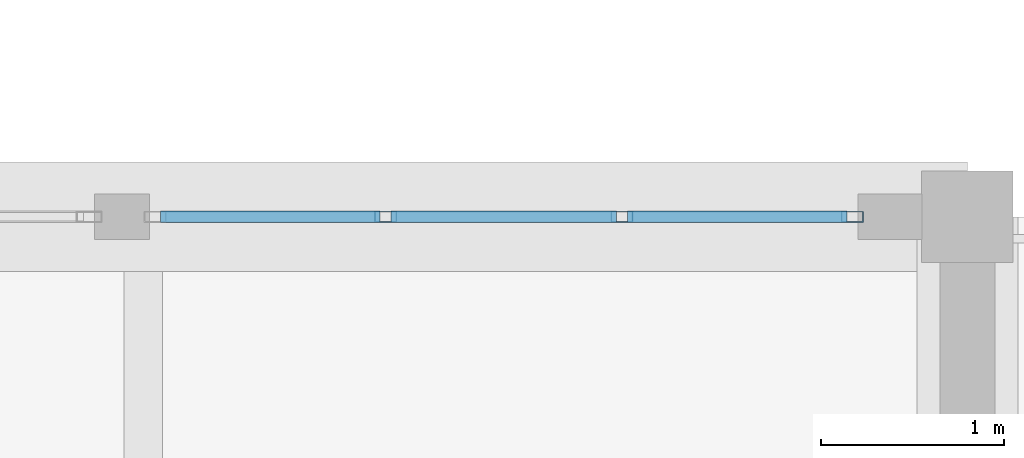
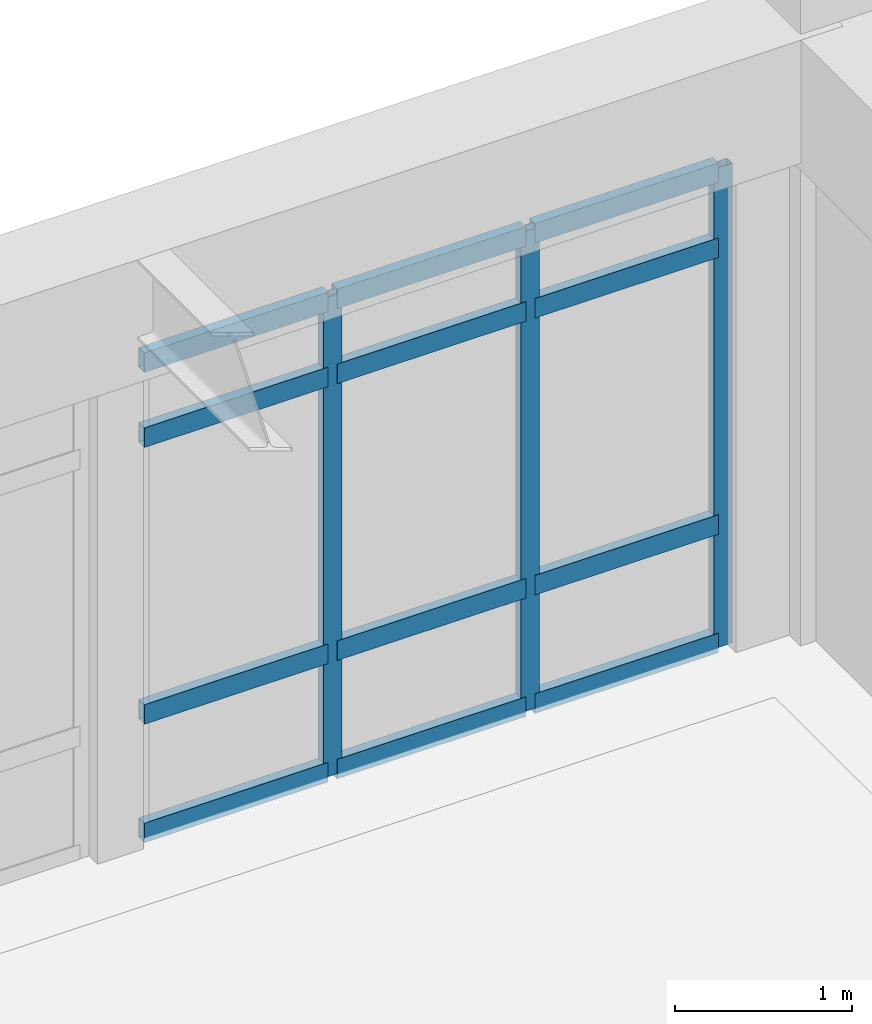
# One storey, part 37 of 109: 15 members, 1 element without a shape of its own.
"""IFC4 building model written with IfcOpenShell, lengths in metres."""

from ifc_helpers import new_model, si_unit, direction, frame, origin, origin_2d, place, context, subcontext, project, spatial, hollow_rectangle, extrude, material, layer, layer_set, material_profile, profile_set, type_object, element, aggregate, save


model = new_model("IFC4")

# Units and contexts
model_context = context("Model", 3, precision=1e-05, world=origin(), true_north=direction((0.0, 1.0)))
body_context = subcontext(model_context, "Body", "Model", "MODEL_VIEW")
ifc_project = project(units=[si_unit("LENGTHUNIT", "METRE"), si_unit("AREAUNIT", "SQUARE_METRE"), si_unit("VOLUMEUNIT", "CUBIC_METRE"), si_unit("PLANEANGLEUNIT", "RADIAN"), si_unit("MASSUNIT", "GRAM", prefix="KILO")], contexts=[model_context])

# Site, building, storey
site_placement = place(None, origin())
site = spatial("IfcSite", under=ifc_project, at=site_placement, CompositionType="ELEMENT")
building_placement = place(site_placement, origin())
building = spatial("IfcBuilding", under=site, at=building_placement, Name="Fikremerkos Civic Library", CompositionType="ELEMENT")
storey_placement = place(building_placement, frame((0.0, 0.0, 5.39990234375)))
storey = spatial("IfcBuildingStorey", under=building, at=storey_placement, Name="L01", CompositionType="ELEMENT", Elevation=5.39990234375)

# Curtain wall, members
ifc_material = material(Name="Anodized aluminium Frame", Category="aluminium")
ifc_layer = layer(ifc_material, 0.159912109375, Name="Anodized aluminium Frame")
ifc_layer_set = layer_set([ifc_layer], Name="Anodized aluminium Frame")
curtain_wall_type = type_object("IfcCurtainWallType", Name="Unitised curtain wall CW-04 3400x3600", PredefinedType="USERDEFINED", material=ifc_layer_set)
curtain_wall_placement = place(storey_placement, origin())
curtain_wall = element("IfcCurtainWall", 1, at=curtain_wall_placement, inside=storey, type_object=curtain_wall_type, Name="Unitised curtain wall CW-04 L01 #94", ObjectType="UNITISED CURTAIN WALL", PredefinedType="USERDEFINED")
ifc_material_profile_1 = material_profile(ifc_material, hollow_rectangle(XDim=0.06005859375, YDim=0.1201171875, WallThickness=0.00390625, at=origin_2d()), Name="ALU 120x60x4")
ifc_profile_set_1 = profile_set([ifc_material_profile_1], Name="Anodized aluminium Frame")
member_type_1 = type_object("IfcMemberType", Name="Curtain mullion CWM-04 ALU 120x60x4", PredefinedType="MULLION", material=ifc_profile_set_1)
member_1_placement = place(storey_placement, frame((97.0234375, 48.0, 0.0), z_axis=(0.0, 0.0, 1.0), x_axis=(0.0, 1.0, 0.0)))
member_1 = element("IfcMember", 2, at=member_1_placement, type_object=member_type_1, Name="CW-04 mullion 2", PredefinedType="MULLION", context=body_context, shape_type="SweptSolid", body=[
    extrude(hollow_rectangle(XDim=0.06005859375, YDim=0.1201171875, WallThickness=0.00390625, at=origin_2d()), origin(), (0.0, 0.0, 1.0), 3.31005859375),
])
member_2_placement = place(storey_placement, frame((98.312744140625, 48.0, 0.0), z_axis=(0.0, 0.0, 1.0), x_axis=(0.0, 1.0, 0.0)))
member_2 = element("IfcMember", 3, at=member_2_placement, type_object=member_type_1, Name="CW-04 mullion 3", PredefinedType="MULLION", context=body_context, shape_type="SweptSolid", body=[
    extrude(hollow_rectangle(XDim=0.06005859375, YDim=0.1201171875, WallThickness=0.00390625, at=origin_2d()), origin(), (0.0, 0.0, 1.0), 3.31005859375),
])
member_3_placement = place(storey_placement, frame((99.572021484375, 48.0, 0.0), z_axis=(0.0, 0.0, 1.0), x_axis=(0.0, 1.0, 0.0)))
member_3 = element("IfcMember", 4, at=member_3_placement, type_object=member_type_1, Name="CW-04 mullion 4", PredefinedType="MULLION", context=body_context, shape_type="SweptSolid", body=[
    extrude(hollow_rectangle(XDim=0.06005859375, YDim=0.1201171875, WallThickness=0.00390625, at=origin_2d()), origin(), (0.0, 0.0, 1.0), 3.31005859375),
])
ifc_material_profile_2 = material_profile(ifc_material, hollow_rectangle(XDim=0.06494140625, YDim=0.135009765625, WallThickness=0.00439453125, at=origin_2d()), Name="ALU 135x65x4.5")
ifc_profile_set_2 = profile_set([ifc_material_profile_2], Name="Anodized aluminium Frame")
member_type_2 = type_object("IfcMemberType", Name="Curtain transom CWT-02 ALU 135x65x4.5", PredefinedType="USERDEFINED", material=ifc_profile_set_2)
member_4_placement = place(storey_placement, frame((95.7939453125, 48.0, 0.03271484375), z_axis=(1.0, 0.0, 0.0), x_axis=(0.0, 1.0, 0.0)))
member_4 = element("IfcMember", 5, at=member_4_placement, type_object=member_type_2, Name="CW-04 transom 1.1", ObjectType="TRANSOM", PredefinedType="USERDEFINED", context=body_context, shape_type="SweptSolid", body=[
    extrude(hollow_rectangle(XDim=0.06494140625, YDim=0.135009765625, WallThickness=0.00439453125, at=origin_2d()), origin(), (0.0, 0.0, 1.0), 1.199462890625),
])
member_5_placement = place(storey_placement, frame((95.7939453125, 48.0, 0.85009765625), z_axis=(1.0, 0.0, 0.0), x_axis=(0.0, 1.0, 0.0)))
member_5 = element("IfcMember", 6, at=member_5_placement, type_object=member_type_2, Name="CW-04 transom 1.2", ObjectType="TRANSOM", PredefinedType="USERDEFINED", context=body_context, shape_type="SweptSolid", body=[
    extrude(hollow_rectangle(XDim=0.06494140625, YDim=0.135009765625, WallThickness=0.00439453125, at=origin_2d()), origin(), (0.0, 0.0, 1.0), 1.199462890625),
])
member_6_placement = place(storey_placement, frame((95.7939453125, 48.0, 2.760009765625), z_axis=(1.0, 0.0, 0.0), x_axis=(0.0, 1.0, 0.0)))
member_6 = element("IfcMember", 7, at=member_6_placement, type_object=member_type_2, Name="CW-04 transom 1.3", ObjectType="TRANSOM", PredefinedType="USERDEFINED", context=body_context, shape_type="SweptSolid", body=[
    extrude(hollow_rectangle(XDim=0.06494140625, YDim=0.135009765625, WallThickness=0.00439453125, at=origin_2d()), origin(), (0.0, 0.0, 1.0), 1.199462890625),
])
member_7_placement = place(storey_placement, frame((95.7939453125, 48.0, 3.277587890625), z_axis=(1.0, 0.0, 0.0), x_axis=(0.0, 1.0, 0.0)))
member_7 = element("IfcMember", 8, at=member_7_placement, type_object=member_type_2, Name="CW-04 transom 1.4", ObjectType="TRANSOM", PredefinedType="USERDEFINED", context=body_context, shape_type="SweptSolid", body=[
    extrude(hollow_rectangle(XDim=0.06494140625, YDim=0.135009765625, WallThickness=0.00439453125, at=origin_2d()), origin(), (0.0, 0.0, 1.0), 1.199462890625),
])
member_8_placement = place(storey_placement, frame((97.05322265625, 48.0, 0.03271484375), z_axis=(1.0, 0.0, 0.0), x_axis=(0.0, 1.0, 0.0)))
member_8 = element("IfcMember", 9, at=member_8_placement, type_object=member_type_2, Name="CW-04 transom 2.1", ObjectType="TRANSOM", PredefinedType="USERDEFINED", context=body_context, shape_type="SweptSolid", body=[
    extrude(hollow_rectangle(XDim=0.06494140625, YDim=0.135009765625, WallThickness=0.00439453125, at=origin_2d()), origin(), (0.0, 0.0, 1.0), 1.2294921875),
])
member_9_placement = place(storey_placement, frame((97.05322265625, 48.0, 0.85009765625), z_axis=(1.0, 0.0, 0.0), x_axis=(0.0, 1.0, 0.0)))
member_9 = element("IfcMember", 10, at=member_9_placement, type_object=member_type_2, Name="CW-04 transom 2.2", ObjectType="TRANSOM", PredefinedType="USERDEFINED", context=body_context, shape_type="SweptSolid", body=[
    extrude(hollow_rectangle(XDim=0.06494140625, YDim=0.135009765625, WallThickness=0.00439453125, at=origin_2d()), origin(), (0.0, 0.0, 1.0), 1.2294921875),
])
member_10_placement = place(storey_placement, frame((97.05322265625, 48.0, 2.760009765625), z_axis=(1.0, 0.0, 0.0), x_axis=(0.0, 1.0, 0.0)))
member_10 = element("IfcMember", 11, at=member_10_placement, type_object=member_type_2, Name="CW-04 transom 2.3", ObjectType="TRANSOM", PredefinedType="USERDEFINED", context=body_context, shape_type="SweptSolid", body=[
    extrude(hollow_rectangle(XDim=0.06494140625, YDim=0.135009765625, WallThickness=0.00439453125, at=origin_2d()), origin(), (0.0, 0.0, 1.0), 1.2294921875),
])
member_11_placement = place(storey_placement, frame((97.05322265625, 48.0, 3.277587890625), z_axis=(1.0, 0.0, 0.0), x_axis=(0.0, 1.0, 0.0)))
member_11 = element("IfcMember", 12, at=member_11_placement, type_object=member_type_2, Name="CW-04 transom 2.4", ObjectType="TRANSOM", PredefinedType="USERDEFINED", context=body_context, shape_type="SweptSolid", body=[
    extrude(hollow_rectangle(XDim=0.06494140625, YDim=0.135009765625, WallThickness=0.00439453125, at=origin_2d()), origin(), (0.0, 0.0, 1.0), 1.2294921875),
])
member_12_placement = place(storey_placement, frame((98.3427734375, 48.0, 0.03271484375), z_axis=(1.0, 0.0, 0.0), x_axis=(0.0, 1.0, 0.0)))
member_12 = element("IfcMember", 13, at=member_12_placement, type_object=member_type_2, Name="CW-04 transom 3.1", ObjectType="TRANSOM", PredefinedType="USERDEFINED", context=body_context, shape_type="SweptSolid", body=[
    extrude(hollow_rectangle(XDim=0.06494140625, YDim=0.135009765625, WallThickness=0.00439453125, at=origin_2d()), origin(), (0.0, 0.0, 1.0), 1.19921875),
])
member_13_placement = place(storey_placement, frame((98.3427734375, 48.0, 0.85009765625), z_axis=(1.0, 0.0, 0.0), x_axis=(0.0, 1.0, 0.0)))
member_13 = element("IfcMember", 14, at=member_13_placement, type_object=member_type_2, Name="CW-04 transom 3.2", ObjectType="TRANSOM", PredefinedType="USERDEFINED", context=body_context, shape_type="SweptSolid", body=[
    extrude(hollow_rectangle(XDim=0.06494140625, YDim=0.135009765625, WallThickness=0.00439453125, at=origin_2d()), origin(), (0.0, 0.0, 1.0), 1.19921875),
])
member_14_placement = place(storey_placement, frame((98.3427734375, 48.0, 2.760009765625), z_axis=(1.0, 0.0, 0.0), x_axis=(0.0, 1.0, 0.0)))
member_14 = element("IfcMember", 15, at=member_14_placement, type_object=member_type_2, Name="CW-04 transom 3.3", ObjectType="TRANSOM", PredefinedType="USERDEFINED", context=body_context, shape_type="SweptSolid", body=[
    extrude(hollow_rectangle(XDim=0.06494140625, YDim=0.135009765625, WallThickness=0.00439453125, at=origin_2d()), origin(), (0.0, 0.0, 1.0), 1.19921875),
])
member_15_placement = place(storey_placement, frame((98.3427734375, 48.0, 3.277587890625), z_axis=(1.0, 0.0, 0.0), x_axis=(0.0, 1.0, 0.0)))
member_15 = element("IfcMember", 16, at=member_15_placement, type_object=member_type_2, Name="CW-04 transom 3.4", ObjectType="TRANSOM", PredefinedType="USERDEFINED", context=body_context, shape_type="SweptSolid", body=[
    extrude(hollow_rectangle(XDim=0.06494140625, YDim=0.135009765625, WallThickness=0.00439453125, at=origin_2d()), origin(), (0.0, 0.0, 1.0), 1.19921875),
])
aggregate(curtain_wall, [member_1, member_2, member_3, member_4, member_5, member_6, member_7, member_8, member_9, member_10, member_11, member_12, member_13, member_14, member_15])

save(model, "model.ifc")
